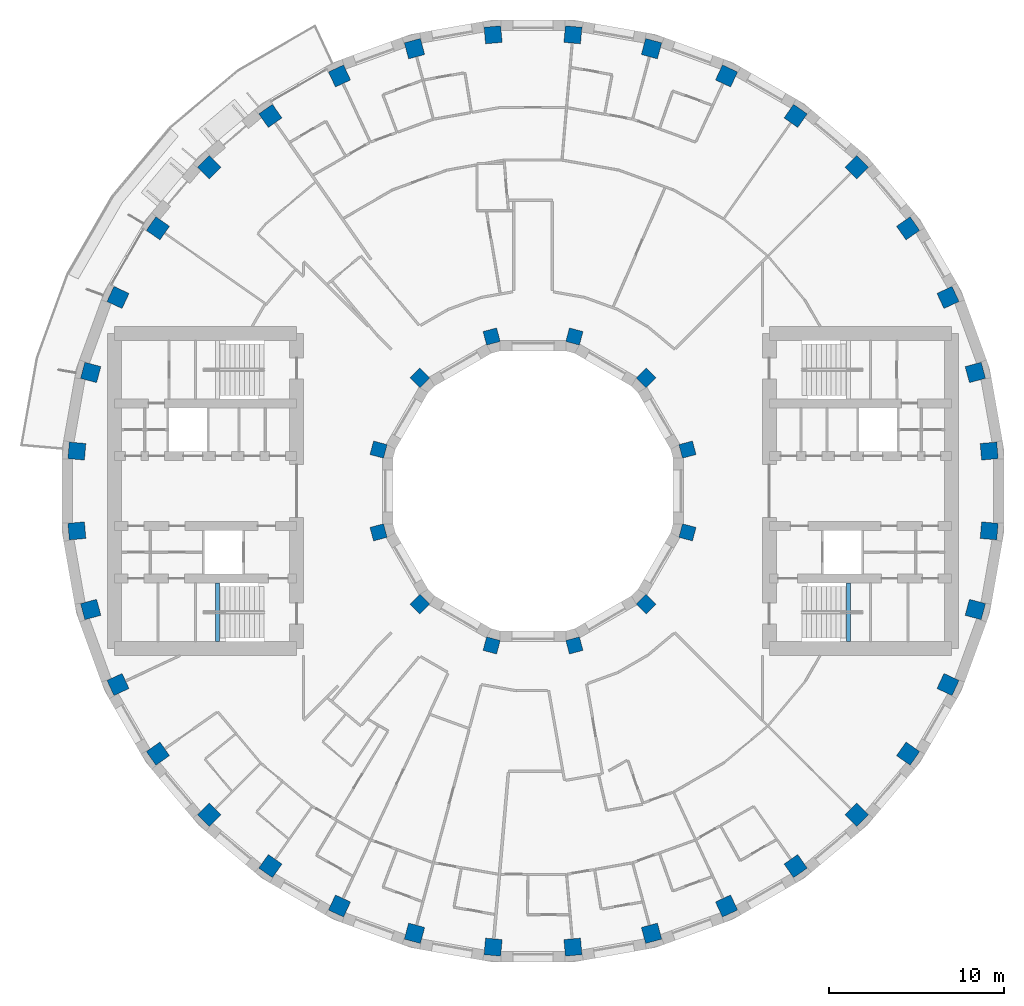
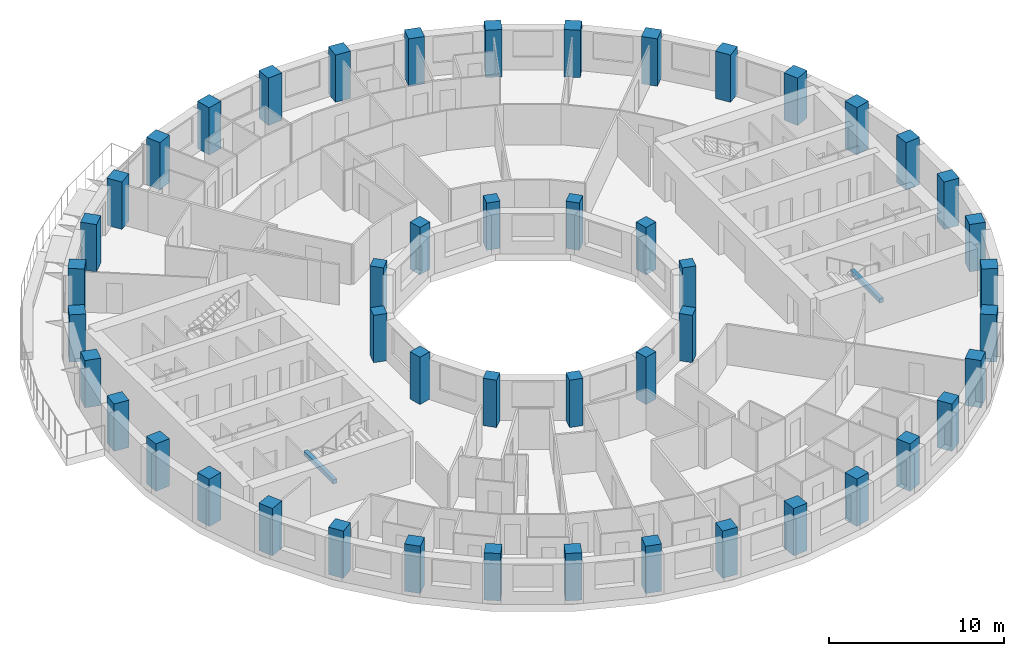
# One storey, part 1 of 14: 48 columns, 2 beams.
"""IFC4 building model written with IfcOpenShell, lengths in metres."""

from ifc_helpers import new_model, si_unit, direction, frame, origin, origin_2d, place, context, subcontext, project, spatial, rectangle, extrude, material, material_profile, profile_set, type_object, element, save


model = new_model("IFC4")

# Units and contexts
model_context = context("Model", 3, precision=1e-05, world=origin(), true_north=direction((0.0, 1.0)))
body_context = subcontext(model_context, "Body", "Model", "MODEL_VIEW")
ifc_project = project(units=[si_unit("LENGTHUNIT", "METRE"), si_unit("AREAUNIT", "SQUARE_METRE"), si_unit("VOLUMEUNIT", "CUBIC_METRE"), si_unit("PLANEANGLEUNIT", "RADIAN"), si_unit("MASSUNIT", "GRAM", prefix="KILO")], contexts=[model_context])

# Site, building, storey
site_placement = place(None, origin())
site = spatial("IfcSite", under=ifc_project, at=site_placement, CompositionType="ELEMENT")
building_placement = place(site_placement, origin())
building = spatial("IfcBuilding", under=site, at=building_placement, Name="Saqina Gate Tower", CompositionType="ELEMENT")
storey_placement = place(building_placement, frame((0.0, 0.0, 101.800048828125)))
storey = spatial("IfcBuildingStorey", under=building, at=storey_placement, Name="L28", CompositionType="ELEMENT", Elevation=101.800048828125)

# Columns
ifc_material_1 = material(Name="Concrete C70/85", Category="concrete")
ifc_material_profile_1 = material_profile(ifc_material_1, rectangle(XDim=0.800048828125, YDim=0.800048828125, at=origin_2d()), Name="RC 800x800")
ifc_profile_set_1 = profile_set([ifc_material_profile_1], Name="Concrete C70/85")
column_type_1 = type_object("IfcColumnType", Name="STR-COL-IN-B", PredefinedType="COLUMN", material=ifc_profile_set_1)
for number, where, z_axis, x_axis, name in (
    (1, (8.821044921875, 2.363525390625, 0.0), (0.0, 0.0, 1.0), (0.965925826289, 0.258819045103, 0.0), "L28-ICL01"),
    (2, (6.45751953125, 6.45751953125, 0.0), (0.0, 0.0, 1.0), (0.707106781187, 0.707106781187, 0.0), "L28-ICL02"),
    (3, (2.363525390625, 8.821044921875, 0.0), (0.0, 0.0, 1.0), (0.258819045103, 0.965925826289, 0.0), "L28-ICL03"),
    (4, (-2.363525390625, 8.821044921875, 0.0), (0.0, 0.0, 1.0), (-0.258819045103, 0.965925826289, 0.0), "L28-ICL04"),
    (5, (-6.45751953125, 6.45751953125, 0.0), (0.0, 0.0, 1.0), (-0.707106781187, 0.707106781187, 0.0), "L28-ICL05"),
    (6, (-8.821044921875, 2.363525390625, 0.0), (0.0, 0.0, 1.0), (-0.965925826289, 0.258819045103, 0.0), "L28-ICL06"),
    (7, (-8.821044921875, -2.363525390625, 0.0), (0.0, 0.0, 1.0), (-0.965925826289, -0.258819045103, 0.0), "L28-ICL07"),
    (8, (-6.45751953125, -6.45751953125, 0.0), (0.0, 0.0, 1.0), (-0.707106781187, -0.707106781187, 0.0), "L28-ICL08"),
    (9, (-2.363525390625, -8.821044921875, 0.0), (0.0, 0.0, 1.0), (-0.258819045103, -0.965925826289, 0.0), "L28-ICL09"),
    (10, (2.363525390625, -8.821044921875, 0.0), (0.0, 0.0, 1.0), (0.258819045103, -0.965925826289, 0.0), "L28-ICL10"),
    (11, (6.45751953125, -6.45751953125, 0.0), (0.0, 0.0, 1.0), (0.707106781187, -0.707106781187, 0.0), "L28-ICL11"),
    (12, (8.821044921875, -2.363525390625, 0.0), (0.0, 0.0, 1.0), (0.965925826289, -0.258819045103, 0.0), "L28-ICL12"),
):
    element("IfcColumn", number, at=place(storey_placement, frame(where, z_axis=z_axis, x_axis=x_axis)), inside=storey, type_object=column_type_1, Name=name, PredefinedType="COLUMN", context=body_context, shape_type="SweptSolid", body=[
        extrude(rectangle(XDim=0.800048828125, YDim=0.800048828125, at=origin_2d()), origin(), (0.0, 0.0, 1.0), 3.300048828125),
    ])
ifc_material_2 = material(Name="Concrete C70/85", Category="concrete")
ifc_material_profile_2 = material_profile(ifc_material_2, rectangle(XDim=0.949951171875, YDim=0.949951171875, at=origin_2d()), Name="RC 950x950")
ifc_profile_set_2 = profile_set([ifc_material_profile_2], Name="Concrete C70/85")
column_type_2 = type_object("IfcColumnType", Name="STR-COL-OUT-B", PredefinedType="COLUMN", material=ifc_profile_set_2)
for number, where, z_axis, x_axis, name in (
    (13, (26.050537109375, 2.279052734375, 0.0), (0.0, 0.0, 1.0), (0.996194698092, 0.087155742748, 0.0), "L28-COL01"),
    (14, (25.259033203125, 6.76806640625, 0.0), (0.0, 0.0, 1.0), (0.965925826289, 0.258819045103, 0.0), "L28-COL02"),
    (15, (23.699951171875, 11.051513671875, 0.0), (0.0, 0.0, 1.0), (0.906307787037, 0.422618261741, 0.0), "L28-COL03"),
    (16, (21.4208984375, 14.9990234375, 0.0), (0.0, 0.0, 1.0), (0.819152044289, 0.573576436351, 0.0), "L28-COL04"),
    (17, (18.49072265625, 18.49072265625, 0.0), (0.0, 0.0, 1.0), (0.707106781187, 0.707106781187, 0.0), "L28-COL05"),
    (18, (14.9990234375, 21.4208984375, 0.0), (0.0, 0.0, 1.0), (0.573576436351, 0.819152044289, 0.0), "L28-COL06"),
    (19, (11.051513671875, 23.699951171875, 0.0), (0.0, 0.0, 1.0), (0.422618261741, 0.906307787037, 0.0), "L28-COL07"),
    (20, (6.76806640625, 25.259033203125, 0.0), (0.0, 0.0, 1.0), (0.258819045103, 0.965925826289, 0.0), "L28-COL08"),
    (21, (2.279052734375, 26.050537109375, 0.0), (0.0, 0.0, 1.0), (0.087155742748, 0.996194698092, 0.0), "L28-COL09"),
    (22, (-2.279052734375, 26.050537109375, 0.0), (0.0, 0.0, 1.0), (-0.087155742748, 0.996194698092, 0.0), "L28-COL10"),
    (23, (-6.76806640625, 25.259033203125, 0.0), (0.0, 0.0, 1.0), (-0.258819045103, 0.965925826289, 0.0), "L28-COL11"),
    (24, (-11.051513671875, 23.699951171875, 0.0), (0.0, 0.0, 1.0), (-0.422618261741, 0.906307787037, 0.0), "L28-COL12"),
    (25, (-14.9990234375, 21.4208984375, 0.0), (0.0, 0.0, 1.0), (-0.573576436351, 0.819152044289, 0.0), "L28-COL13"),
    (26, (-18.49072265625, 18.49072265625, 0.0), (0.0, 0.0, 1.0), (-0.707106781187, 0.707106781187, 0.0), "L28-COL14"),
    (27, (-21.4208984375, 14.9990234375, 0.0), (0.0, 0.0, 1.0), (-0.819152044289, 0.573576436351, 0.0), "L28-COL15"),
    (28, (-23.699951171875, 11.051513671875, 0.0), (0.0, 0.0, 1.0), (-0.906307787037, 0.422618261741, 0.0), "L28-COL16"),
    (29, (-25.259033203125, 6.76806640625, 0.0), (0.0, 0.0, 1.0), (-0.965925826289, 0.258819045103, 0.0), "L28-COL17"),
    (30, (-26.050537109375, 2.279052734375, 0.0), (0.0, 0.0, 1.0), (-0.996194698092, 0.087155742748, 0.0), "L28-COL18"),
    (31, (-26.050537109375, -2.279052734375, 0.0), (0.0, 0.0, 1.0), (-0.996194698092, -0.087155742748, 0.0), "L28-COL19"),
    (32, (-25.259033203125, -6.76806640625, 0.0), (0.0, 0.0, 1.0), (-0.965925826289, -0.258819045103, 0.0), "L28-COL20"),
    (33, (-23.699951171875, -11.051513671875, 0.0), (0.0, 0.0, 1.0), (-0.906307787037, -0.422618261741, 0.0), "L28-COL21"),
    (34, (-21.4208984375, -14.9990234375, 0.0), (0.0, 0.0, 1.0), (-0.819152044289, -0.573576436351, 0.0), "L28-COL22"),
    (35, (-18.49072265625, -18.49072265625, 0.0), (0.0, 0.0, 1.0), (-0.707106781187, -0.707106781187, 0.0), "L28-COL23"),
    (36, (-14.9990234375, -21.4208984375, 0.0), (0.0, 0.0, 1.0), (-0.573576436351, -0.819152044289, 0.0), "L28-COL24"),
    (37, (-11.051513671875, -23.699951171875, 0.0), (0.0, 0.0, 1.0), (-0.422618261741, -0.906307787037, 0.0), "L28-COL25"),
    (38, (-6.76806640625, -25.259033203125, 0.0), (0.0, 0.0, 1.0), (-0.258819045103, -0.965925826289, 0.0), "L28-COL26"),
    (39, (-2.279052734375, -26.050537109375, 0.0), (0.0, 0.0, 1.0), (-0.087155742748, -0.996194698092, 0.0), "L28-COL27"),
    (40, (2.279052734375, -26.050537109375, 0.0), (0.0, 0.0, 1.0), (0.087155742748, -0.996194698092, 0.0), "L28-COL28"),
    (41, (6.76806640625, -25.259033203125, 0.0), (0.0, 0.0, 1.0), (0.258819045103, -0.965925826289, 0.0), "L28-COL29"),
    (42, (11.051513671875, -23.699951171875, 0.0), (0.0, 0.0, 1.0), (0.422618261741, -0.906307787037, 0.0), "L28-COL30"),
    (43, (14.9990234375, -21.4208984375, 0.0), (0.0, 0.0, 1.0), (0.573576436351, -0.819152044289, 0.0), "L28-COL31"),
    (44, (18.49072265625, -18.49072265625, 0.0), (0.0, 0.0, 1.0), (0.707106781187, -0.707106781187, 0.0), "L28-COL32"),
    (45, (21.4208984375, -14.9990234375, 0.0), (0.0, 0.0, 1.0), (0.819152044289, -0.573576436351, 0.0), "L28-COL33"),
    (46, (23.699951171875, -11.051513671875, 0.0), (0.0, 0.0, 1.0), (0.906307787037, -0.422618261741, 0.0), "L28-COL34"),
    (47, (25.259033203125, -6.76806640625, 0.0), (0.0, 0.0, 1.0), (0.965925826289, -0.258819045103, 0.0), "L28-COL35"),
    (48, (26.050537109375, -2.279052734375, 0.0), (0.0, 0.0, 1.0), (0.996194698092, -0.087155742748, 0.0), "L28-COL36"),
):
    element("IfcColumn", number, at=place(storey_placement, frame(where, z_axis=z_axis, x_axis=x_axis)), inside=storey, type_object=column_type_2, Name=name, PredefinedType="COLUMN", context=body_context, shape_type="SweptSolid", body=[
        extrude(rectangle(XDim=0.949951171875, YDim=0.949951171875, at=origin_2d()), origin(), (0.0, 0.0, 1.0), 3.300048828125),
    ])

# Beams
ifc_material_3 = material(Name="Concrete C40/50", Category="concrete")
ifc_material_profile_3 = material_profile(ifc_material_3, rectangle(XDim=0.25, YDim=0.300048828125, at=origin_2d()), Name="STAIR LANDING BEAM")
ifc_profile_set_3 = profile_set([ifc_material_profile_3], Name="Concrete C40/50")
beam_type = type_object("IfcBeamType", Name="STAIR LANDING BEAM", PredefinedType="BEAM", material=ifc_profile_set_3)
for number, where, z_axis, x_axis, name in (
    (49, (18.02001953125, -8.60009765625, 1.25), (0.0, 1.0, 0.0), (-1.0, 0.0, 0.0), "EXIT STAIR 2 LANDING BEAM"),
    (50, (-18.02001953125, -8.60009765625, 1.25), (0.0, 1.0, 0.0), (-1.0, 0.0, 0.0), "EXIT STAIR 4 LANDING BEAM"),
):
    element("IfcBeam", number, at=place(storey_placement, frame(where, z_axis=z_axis, x_axis=x_axis)), inside=storey, type_object=beam_type, Name=name, PredefinedType="BEAM", context=body_context, shape_type="SweptSolid", body=[
        extrude(rectangle(XDim=0.25, YDim=0.300048828125, at=origin_2d()), origin(), (0.0, 0.0, 1.0), 3.35009765625),
    ])

save(model, "model.ifc")
